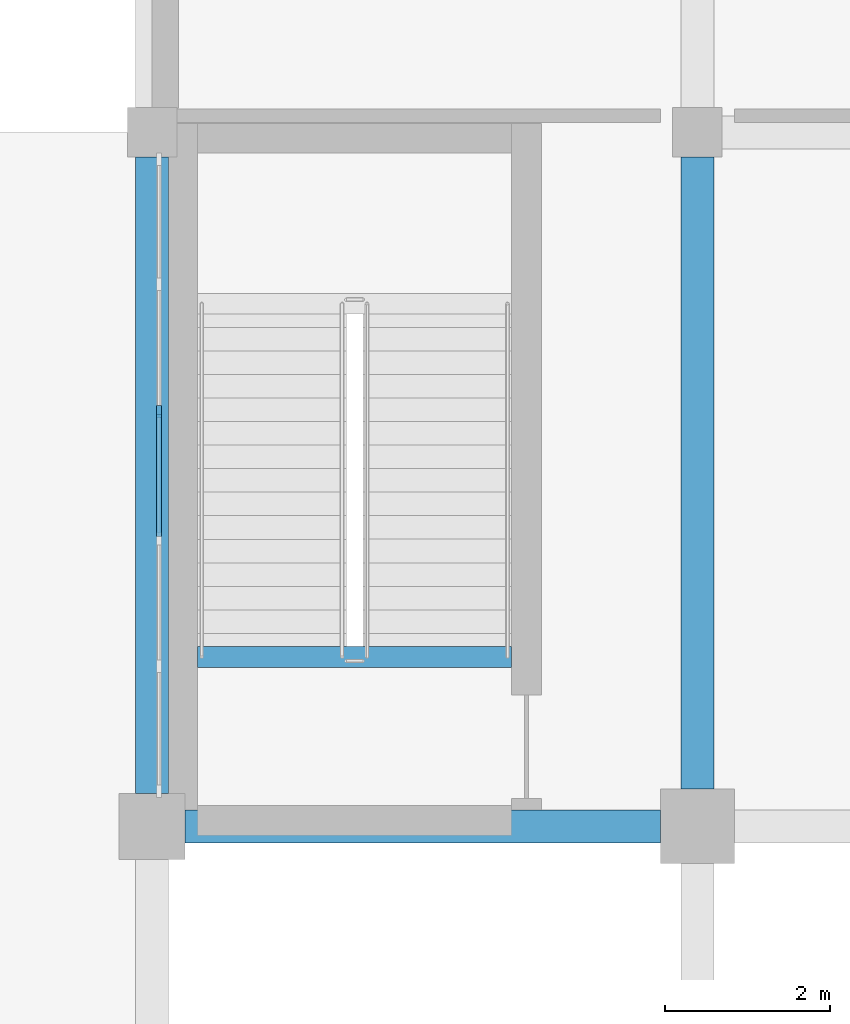
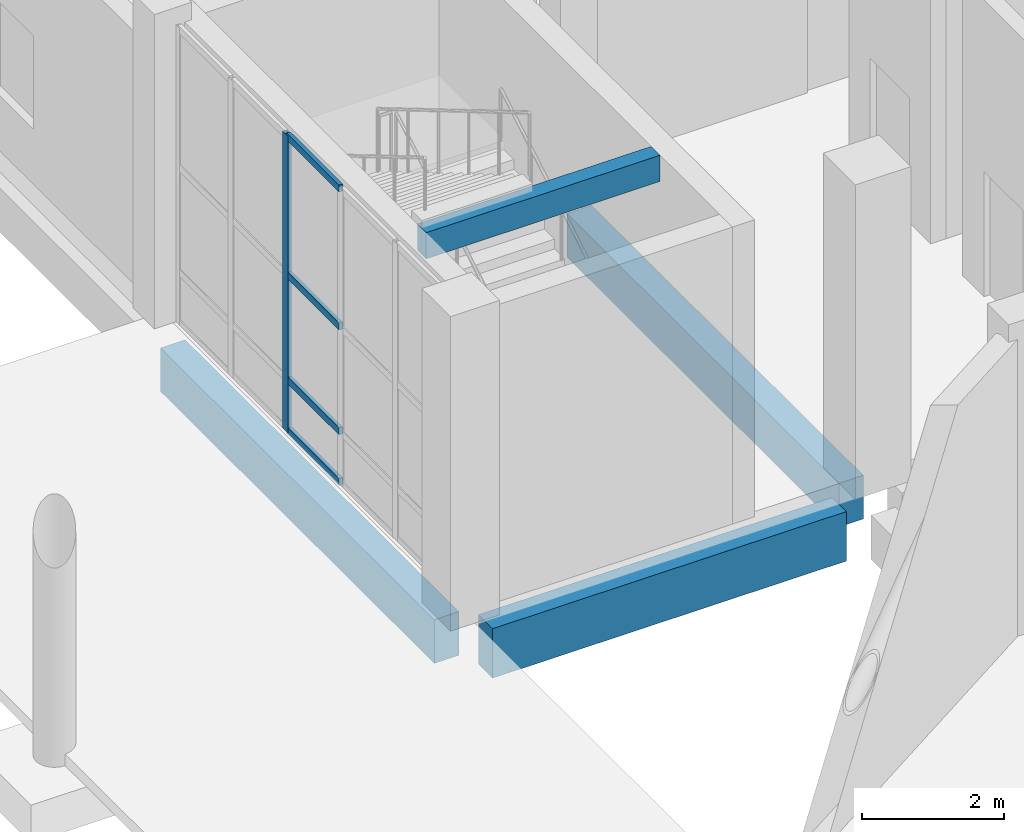
# One storey, part 19 of 64: 5 members, 4 beams, 1 element without a shape of its own.
"""IFC4 building model written with IfcOpenShell, lengths in metres."""

import ifcopenshell
import ifcopenshell.guid

model = None  # the IFC model being written
_history = None  # IfcOwnerHistory: only IFC2X3 demands one
_inside = {}  # id of a spatial element -> (the spatial element, [elements in it])
_under = {}  # id of a project, library or spatial element -> (it, [spatial elements below it])
_declared = {}  # id of a project -> (the project, [libraries it declares])
_typed = {}  # id of a type object -> (the type object, [elements of that type])
_made_of = {}  # id of a material, layer set ... -> (it, [elements and type objects made of it])


def new_model(schema):
    """Start an empty IFC model of exactly this schema.

    Asked for "IFC4X3", IfcOpenShell would pick the latest addendum, in which some entities
    have other attributes; the version numbers below select the first issue.
    IFC2X3 requires an IfcOwnerHistory on every rooted entity: one is made here for all.
    """
    global model, _history
    if schema == "IFC4X3":
        model = ifcopenshell.file(schema_version=(4, 3, 0, 0))
    else:
        model = ifcopenshell.file(schema=schema)
    _inside.clear()
    _under.clear()
    _declared.clear()
    _typed.clear()
    _made_of.clear()
    _history = None
    if model.schema == "IFC2X3":
        org = make("IfcOrganization", Name="unknown")
        user = make(
            "IfcPersonAndOrganization",
            ThePerson=make("IfcPerson", FamilyName="unknown"),
            TheOrganization=org,
        )
        app = make(
            "IfcApplication",
            ApplicationDeveloper=org,
            Version="unknown",
            ApplicationFullName="unknown",
            ApplicationIdentifier="unknown",
        )
        _history = make(
            "IfcOwnerHistory",
            OwningUser=user,
            OwningApplication=app,
            ChangeAction="ADDED",
            CreationDate=0,
        )
    return model


def make(cls, **values):
    """One entity of the class cls with the attributes given. An attribute that is None is left unset."""
    return model.create_entity(
        cls, **{name: value for name, value in values.items() if value is not None}
    )


def rooted(cls, **values):
    """An entity with a GlobalId (a new one), such as an element, a storey or a relation."""
    return make(cls, GlobalId=ifcopenshell.guid.new(), OwnerHistory=_history, **values)


def si_unit(unit_type, name, prefix=None):
    """IfcSIUnit, for example si_unit("LENGTHUNIT", "METRE", prefix="MILLI")."""
    return make("IfcSIUnit", UnitType=unit_type, Prefix=prefix, Name=name)


def assignment(units):
    """IfcUnitAssignment: the units of a project."""
    return None if units is None else make("IfcUnitAssignment", Units=units)


def point(xyz):
    """IfcCartesianPoint."""
    return None if xyz is None else make("IfcCartesianPoint", Coordinates=xyz)


def direction(xyz):
    """IfcDirection."""
    return None if xyz is None else make("IfcDirection", DirectionRatios=xyz)


def frame(location, z_axis=None, x_axis=None):
    """IfcAxis2Placement3D, a coordinate frame: its origin and axes. An axis left out is left unset."""
    return make(
        "IfcAxis2Placement3D",
        Location=point(location),
        Axis=direction(z_axis),
        RefDirection=direction(x_axis),
    )


def frame_2d(location, x_axis=None):
    """IfcAxis2Placement2D, a coordinate frame in the plane: its origin and x axis."""
    return make(
        "IfcAxis2Placement2D", Location=point(location), RefDirection=direction(x_axis)
    )


def origin():
    """The frame at (0, 0, 0) with its axes left unset."""
    return frame((0.0, 0.0, 0.0))


def origin_2d():
    """The frame at (0, 0) in the plane with its x axis left unset."""
    return frame_2d((0.0, 0.0))


def place(relative_to, where):
    """IfcLocalPlacement: puts the frame where relative to a parent placement (None: the world)."""
    return make(
        "IfcLocalPlacement", PlacementRelTo=relative_to, RelativePlacement=where
    )


def context(
    kind, dimensions, precision=None, world=None, true_north=None, identifier=None
):
    """IfcGeometricRepresentationContext, for example the 3D "Model" context."""
    return make(
        "IfcGeometricRepresentationContext",
        ContextIdentifier=identifier,
        ContextType=kind,
        CoordinateSpaceDimension=dimensions,
        Precision=precision,
        WorldCoordinateSystem=world,
        TrueNorth=true_north,
    )


def subcontext(parent, identifier, kind, view, scale=None):
    """IfcGeometricRepresentationSubContext, for example "Body" below "Model"."""
    return make(
        "IfcGeometricRepresentationSubContext",
        ContextIdentifier=identifier,
        ContextType=kind,
        ParentContext=parent,
        TargetScale=scale,
        TargetView=view,
    )


def project(units=None, contexts=None):
    """IfcProject with its units and contexts."""
    return rooted(
        "IfcProject",
        Name="project",
        RepresentationContexts=contexts,
        UnitsInContext=assignment(units),
    )


def spatial(cls, under=None, at=None, **own):
    """A site, building, storey or space (cls), placed at a placement, below another one or the project."""
    s = rooted(cls, ObjectPlacement=at, **own)
    if under is not None:
        _under.setdefault(under.id(), (under, []))[1].append(s)
    return s


def profile(cls, at=None, kind="AREA", **sizes):
    """A parametric profile (cls). Its sizes go by their IFC names, for example OverallWidth=200.0."""
    return make(cls, ProfileType=kind, Position=at, **sizes)


def rectangle(**sizes):
    """IfcRectangleProfileDef."""
    return profile("IfcRectangleProfileDef", **sizes)


def extrude(swept, where, along, depth):
    """IfcExtrudedAreaSolid: the profile swept, set in the frame where, extruded along a direction by depth."""
    return make(
        "IfcExtrudedAreaSolid",
        SweptArea=swept,
        Position=where,
        ExtrudedDirection=direction(along),
        Depth=depth,
    )


def shape(context_of_items, identifier, shape_type, items):
    """IfcShapeRepresentation: the items that make up one representation, for example the "Body"."""
    return make(
        "IfcShapeRepresentation",
        ContextOfItems=context_of_items,
        RepresentationIdentifier=identifier,
        RepresentationType=shape_type,
        Items=items,
    )


def material(Name=None, Category=None):
    """IfcMaterial."""
    return make("IfcMaterial", Name=Name, Category=Category)


def material_profile(
    of_material, cross_section, Name=None, Category=None, Priority=None
):
    """IfcMaterialProfile: a cross section and its material."""
    return make(
        "IfcMaterialProfile",
        Name=Name,
        Material=of_material,
        Profile=cross_section,
        Priority=Priority,
        Category=Category,
    )


def profile_set(profiles, Name=None, composite=None):
    """IfcMaterialProfileSet."""
    return make(
        "IfcMaterialProfileSet",
        Name=Name,
        MaterialProfiles=profiles,
        CompositeProfile=composite,
    )


def made_of(thing, what):
    """Note that an element or type object is made of a material, layer set ...; save() writes the relation."""
    if what is not None:
        _made_of.setdefault(what.id(), (what, []))[1].append(thing)
    return thing


def type_object(cls, material=None, **own):
    """A type object (cls), such as IfcWallType, which elements share."""
    return made_of(rooted(cls, **own), material)


def element(
    cls,
    number,
    at=None,
    inside=None,
    cuts=None,
    type_object=None,
    material=None,
    context=None,
    identifier="Body",
    shape_type=None,
    held_by="IfcProductDefinitionShape",
    body=None,
    shapes=None,
    **own,
):
    """One element of the class cls, such as IfcWall. Its Tag is "e" and its number.

    at: its placement. inside: the storey or other place that contains it. cuts: it is an
    opening in that element (IfcRelVoidsElement). A single representation is given by context,
    identifier, shape_type and body (its items); several are given by shapes. held_by: the class
    of the entity that holds the representations. save() writes the other relations.
    """
    e = rooted(cls, Tag="e%d" % number, ObjectPlacement=at, **own)
    if body is not None:
        shapes = [shape(context, identifier, shape_type, body)]
    if shapes is not None:
        e.Representation = make(held_by, Representations=shapes)
    if inside is not None:
        _inside.setdefault(inside.id(), (inside, []))[1].append(e)
    if cuts is not None:
        rooted(
            "IfcRelVoidsElement", RelatingBuildingElement=cuts, RelatedOpeningElement=e
        )
    if type_object is not None:
        _typed.setdefault(type_object.id(), (type_object, []))[1].append(e)
    return made_of(e, material)


def aggregate(whole, parts):
    """IfcRelAggregates: a whole, such as a stair, and the parts it consists of."""
    return rooted("IfcRelAggregates", RelatingObject=whole, RelatedObjects=parts)


def save(model, path):
    """Write the relations noted so far, then the file.

    IfcRelAggregates (storeys below a building ...), IfcRelContainedInSpatialStructure (elements
    in a storey), IfcRelDefinesByType, IfcRelAssociatesMaterial and IfcRelDeclares: one each for
    every whole, place, type object, material and project.
    """
    for whole, parts in _under.values():
        aggregate(whole, parts)
    for where, things in _inside.values():
        rooted(
            "IfcRelContainedInSpatialStructure",
            RelatedElements=things,
            RelatingStructure=where,
        )
    for kind, things in _typed.values():
        rooted("IfcRelDefinesByType", RelatedObjects=things, RelatingType=kind)
    for what, things in _made_of.values():
        rooted("IfcRelAssociatesMaterial", RelatedObjects=things, RelatingMaterial=what)
    for by, libraries in _declared.values():
        rooted("IfcRelDeclares", RelatingContext=by, RelatedDefinitions=libraries)
    model.write(path)


model = new_model("IFC4")

# Units and contexts
model_context = context("Model", 3, precision=1e-05, world=origin(), true_north=direction((0.0, 1.0)))
body_context = subcontext(model_context, "Body", "Model", "MODEL_VIEW")
ifc_project = project(units=[si_unit("LENGTHUNIT", "METRE"), si_unit("AREAUNIT", "SQUARE_METRE"), si_unit("VOLUMEUNIT", "CUBIC_METRE"), si_unit("PLANEANGLEUNIT", "RADIAN"), si_unit("MASSUNIT", "GRAM", prefix="KILO")], contexts=[model_context])

# Site, building, storey
site_placement = place(None, origin())
site = spatial("IfcSite", under=ifc_project, at=site_placement, CompositionType="ELEMENT")
building_placement = place(site_placement, origin())
building = spatial("IfcBuilding", under=site, at=building_placement, Name="Qaldarim Faculty of Natural and Applied Sciences", CompositionType="ELEMENT")
storey_placement = place(building_placement, origin())
storey = spatial("IfcBuildingStorey", under=building, at=storey_placement, Name="L00", CompositionType="ELEMENT", Elevation=0.0)

# Beams
ifc_material_1 = material(Name="Concrete C50/60", Category="concrete")
ifc_material_profile_1 = material_profile(ifc_material_1, rectangle(XDim=0.39990234375, YDim=0.75, at=origin_2d()), Name="RC-B400x750")
ifc_profile_set_1 = profile_set([ifc_material_profile_1], Name="Concrete C50/60")
beam_type_1 = type_object("IfcBeamType", Name="LabGirder-RC400x750", PredefinedType="BEAM", material=ifc_profile_set_1)
beam_1_placement = place(storey_placement, frame((151.800048828125, 59.199951171875, -0.735107421875), z_axis=(0.0, 1.0, 0.0), x_axis=(-1.0, 0.0, 0.0)))
element("IfcBeam", 1, at=beam_1_placement, inside=storey, type_object=beam_type_1, Name="Beam RC-B400x750 B01 X24/Y08-Y09", PredefinedType="BEAM", context=body_context, shape_type="SweptSolid", body=[
    extrude(rectangle(XDim=0.39990234375, YDim=0.75, at=origin_2d()), origin(), (0.0, 0.0, 1.0), 7.699951171875),
])
beam_2_placement = place(storey_placement, frame((158.39990234375, 59.25, -0.735107421875), z_axis=(0.0, 1.0, 0.0), x_axis=(-1.0, 0.0, 0.0)))
element("IfcBeam", 2, at=beam_2_placement, inside=storey, type_object=beam_type_1, Name="Beam RC-B400x750 B01 X25/Y08-Y09", PredefinedType="BEAM", context=body_context, shape_type="SweptSolid", body=[
    extrude(rectangle(XDim=0.39990234375, YDim=0.75, at=origin_2d()), origin(), (0.0, 0.0, 1.0), 7.64990234375),
])
ifc_material_2 = material(Name="Concrete C40/50", Category="concrete")
ifc_material_profile_2 = material_profile(ifc_material_2, rectangle(XDim=0.25, YDim=0.449951171875, at=origin_2d()), Name="RC-LN250x450")
ifc_profile_set_2 = profile_set([ifc_material_profile_2], Name="Concrete C40/50")
beam_type_2 = type_object("IfcBeamType", Name="LandingSupportBeam-RC250x450", PredefinedType="BEAM", material=ifc_profile_set_2)
beam_3_placement = place(storey_placement, frame((152.35009765625, 60.85009765625, 4.875), z_axis=(1.0, 0.0, 0.0), x_axis=(0.0, 1.0, 0.0)))
element("IfcBeam", 3, at=beam_3_placement, inside=storey, type_object=beam_type_2, Name="Stair arrival support beam ST-C1 L00", PredefinedType="BEAM", context=body_context, shape_type="SweptSolid", body=[
    extrude(rectangle(XDim=0.25, YDim=0.449951171875, at=origin_2d()), origin(), (0.0, 0.0, 1.0), 3.7998046875),
])

# Curtain wall, member
ifc_material_3 = material(Name="Anodised aluminium AW-6063", Category="aluminium")
curtain_wall_type = type_object("IfcCurtainWallType", Name="CurtainWallSystem-M1600", PredefinedType="USERDEFINED", material=ifc_material_3)
curtain_wall_placement = place(storey_placement, origin())
curtain_wall = element("IfcCurtainWall", 4, at=curtain_wall_placement, inside=storey, type_object=curtain_wall_type, Name="Curtain wall CW-L00-W-X24Y08", ObjectType="UNITISED FACADE", PredefinedType="USERDEFINED")
ifc_material_profile_3 = material_profile(ifc_material_3, rectangle(XDim=0.06005859375, YDim=0.14990234375, at=origin_2d()), Name="ALU-M60x150")
ifc_profile_set_3 = profile_set([ifc_material_profile_3], Name="Anodised aluminium AW-6063")
member_type_1 = type_object("IfcMemberType", Name="Mullion-ALU60x150", PredefinedType="MULLION", material=ifc_profile_set_3)
member_1_placement = place(storey_placement, frame((151.8798828125, 63.821044921875, 0.0), z_axis=(0.0, 0.0, 1.0), x_axis=(1.0, 0.0, 0.0)))
member_1 = element("IfcMember", 5, at=member_1_placement, type_object=member_type_1, Name="Mullion 3 of CW-L00-W-X24Y08", PredefinedType="MULLION", context=body_context, shape_type="SweptSolid", body=[
    extrude(rectangle(XDim=0.06005859375, YDim=0.14990234375, at=origin_2d()), origin(), (0.0, 0.0, 1.0), 5.10009765625),
])

# Beam
ifc_material_profile_4 = material_profile(ifc_material_1, rectangle(XDim=0.39990234375, YDim=0.85009765625, at=origin_2d()), Name="RC-B400x850")
ifc_profile_set_4 = profile_set([ifc_material_profile_4], Name="Concrete C50/60")
beam_type_3 = type_object("IfcBeamType", Name="PodiumGirder-RC400x850", PredefinedType="BEAM", material=ifc_profile_set_4)
beam_4_placement = place(storey_placement, frame((152.199951171875, 58.800048828125, -0.784912109375), z_axis=(1.0, 0.0, 0.0), x_axis=(0.0, 1.0, 0.0)))
element("IfcBeam", 6, at=beam_4_placement, inside=storey, type_object=beam_type_3, Name="Beam RC-B400x850 B01 X24-X25/Y08", PredefinedType="BEAM", context=body_context, shape_type="SweptSolid", body=[
    extrude(rectangle(XDim=0.39990234375, YDim=0.85009765625, at=origin_2d()), origin(), (0.0, 0.0, 1.0), 5.75),
])

# Member
ifc_material_profile_5 = material_profile(ifc_material_3, rectangle(XDim=0.06005859375, YDim=0.1201171875, at=origin_2d()), Name="ALU-T60x120")
ifc_profile_set_5 = profile_set([ifc_material_profile_5], Name="Anodised aluminium AW-6063")
member_type_2 = type_object("IfcMemberType", Name="Transom-ALU60x120", PredefinedType="USERDEFINED", material=ifc_profile_set_5)
member_2_placement = place(storey_placement, frame((151.8798828125, 63.791015625, 0.030029296875), z_axis=(0.0, -1.0, 0.0), x_axis=(1.0, 0.0, 0.0)))
member_2 = element("IfcMember", 7, at=member_2_placement, type_object=member_type_2, Name="Transom 3-1 of CW-L00-W-X24Y08", ObjectType="TRANSOM", PredefinedType="USERDEFINED", context=body_context, shape_type="SweptSolid", body=[
    extrude(rectangle(XDim=0.06005859375, YDim=0.1201171875, at=origin_2d()), origin(), (0.0, 0.0, 1.0), 1.48193359375),
])

member_3_placement = place(storey_placement, frame((151.8798828125, 63.791015625, 0.89990234375), z_axis=(0.0, -1.0, 0.0), x_axis=(1.0, 0.0, 0.0)))
member_3 = element("IfcMember", 8, at=member_3_placement, type_object=member_type_2, Name="Transom 3-2 of CW-L00-W-X24Y08", ObjectType="TRANSOM", PredefinedType="USERDEFINED", context=body_context, shape_type="SweptSolid", body=[
    extrude(rectangle(XDim=0.06005859375, YDim=0.1201171875, at=origin_2d()), origin(), (0.0, 0.0, 1.0), 1.48193359375),
])

member_4_placement = place(storey_placement, frame((151.8798828125, 63.791015625, 2.699951171875), z_axis=(0.0, -1.0, 0.0), x_axis=(1.0, 0.0, 0.0)))
member_4 = element("IfcMember", 9, at=member_4_placement, type_object=member_type_2, Name="Transom 3-3 of CW-L00-W-X24Y08", ObjectType="TRANSOM", PredefinedType="USERDEFINED", context=body_context, shape_type="SweptSolid", body=[
    extrude(rectangle(XDim=0.06005859375, YDim=0.1201171875, at=origin_2d()), origin(), (0.0, 0.0, 1.0), 1.48193359375),
])

member_5_placement = place(storey_placement, frame((151.8798828125, 63.791015625, 5.070068359375), z_axis=(0.0, -1.0, 0.0), x_axis=(1.0, 0.0, 0.0)))
member_5 = element("IfcMember", 10, at=member_5_placement, type_object=member_type_2, Name="Transom 3-4 of CW-L00-W-X24Y08", ObjectType="TRANSOM", PredefinedType="USERDEFINED", context=body_context, shape_type="SweptSolid", body=[
    extrude(rectangle(XDim=0.06005859375, YDim=0.1201171875, at=origin_2d()), origin(), (0.0, 0.0, 1.0), 1.48193359375),
])

aggregate(curtain_wall, [member_1, member_2, member_3, member_4, member_5])

save(model, "model.ifc")
